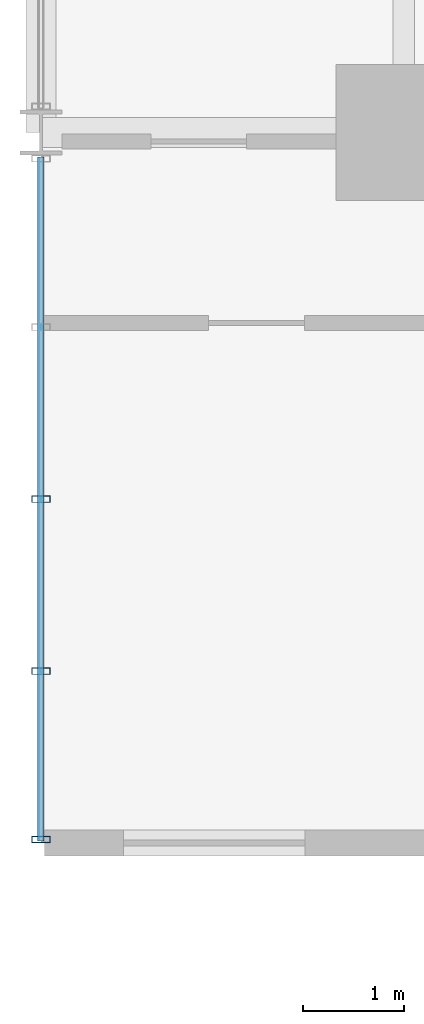
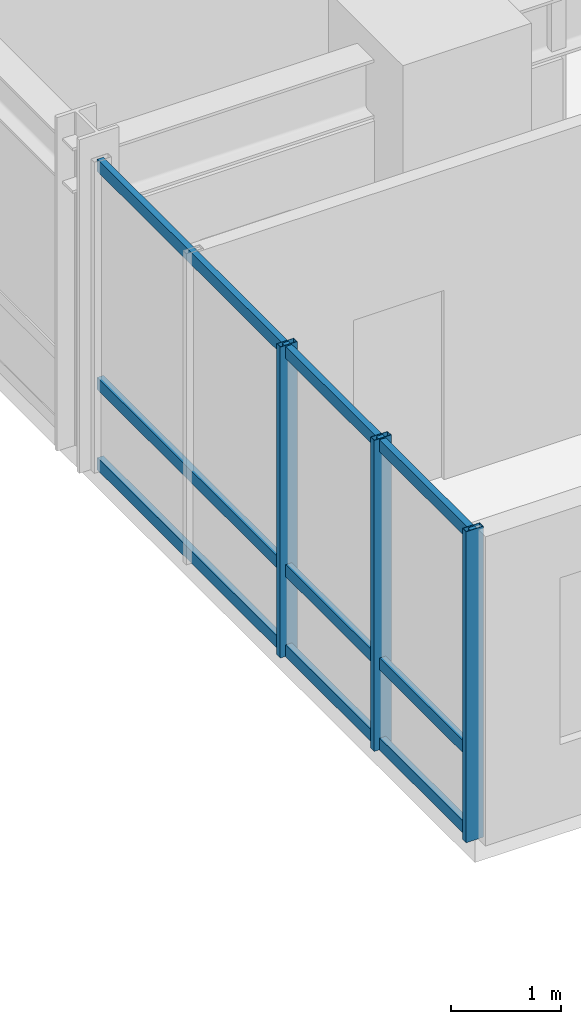
# One storey, part 2 of 19: 6 members, 1 element without a shape of its own.
"""IFC4 building model written with IfcOpenShell, lengths in metres."""

from ifc_helpers import new_model, si_unit, direction, frame, origin, origin_2d, place, context, subcontext, project, spatial, hollow_rectangle, extrude, source, transform, mapped, material, layer, layer_set, material_profile, profile_set, type_object, element, aggregate, save


model = new_model("IFC4")

# Units and contexts
model_context = context("Model", 3, precision=1e-05, world=origin(), true_north=direction((0.0, 1.0)))
body_context = subcontext(model_context, "Body", "Model", "MODEL_VIEW")
ifc_project = project(units=[si_unit("LENGTHUNIT", "METRE"), si_unit("AREAUNIT", "SQUARE_METRE"), si_unit("VOLUMEUNIT", "CUBIC_METRE"), si_unit("PLANEANGLEUNIT", "RADIAN"), si_unit("MASSUNIT", "GRAM", prefix="KILO")], contexts=[model_context])

# Site, building, storey
site_placement = place(None, origin())
site = spatial("IfcSite", under=ifc_project, at=site_placement, CompositionType="ELEMENT")
building_placement = place(site_placement, origin())
building = spatial("IfcBuilding", under=site, at=building_placement, Name="Kaliganga Portal Commons", CompositionType="ELEMENT")
storey_placement = place(building_placement, frame((0.0, 0.0, 32.699951171875)))
storey = spatial("IfcBuildingStorey", under=building, at=storey_placement, Name="L07", CompositionType="ELEMENT", Elevation=32.699951171875)

# Curtain wall, members
ifc_material_1 = material(Name="Anodized Aluminium and Laminated Low-E Glass", Category="aluminium")
ifc_layer = layer(ifc_material_1, 0.199951171875)
ifc_layer_set = layer_set([ifc_layer], Name="Anodized Aluminium and Laminated Low-E Glass")
curtain_wall_type = type_object("IfcCurtainWallType", Name="CW-SYS-02", PredefinedType="NOTDEFINED", material=ifc_layer_set)
curtain_wall_placement = place(storey_placement, origin())
curtain_wall = element("IfcCurtainWall", 1, at=curtain_wall_placement, inside=storey, type_object=curtain_wall_type, Name="CW 02 L07 P1E03S3", PredefinedType="NOTDEFINED")
ifc_material_2 = material(Name="Dark Bronze Anodized Aluminium", Category="aluminium")
ifc_material_profile_1 = material_profile(ifc_material_2, hollow_rectangle(XDim=0.06494140625, YDim=0.179931640625, WallThickness=0.00390625, at=origin_2d()), Name="ALU MULL 65x180x4")
ifc_profile_set_1 = profile_set([ifc_material_profile_1], Name="Dark Bronze Anodized Aluminium")
member_type_1 = type_object("IfcMemberType", Name="CW-MUL-180", PredefinedType="MULLION", material=ifc_profile_set_1)
shared_shape_1 = source(origin(), body_context, "Body", "SweptSolid", [
    extrude(hollow_rectangle(XDim=0.06494140625, YDim=0.179931640625, WallThickness=0.00390625, at=origin_2d()), origin(), (0.0, 0.0, 1.0), 3.449951171875),
])
member_1_placement = place(storey_placement, frame((3.60009765625, 25.012939453125, 0.0), z_axis=(0.0, 0.0, 1.0), x_axis=(0.0, -1.0, 0.0)))
member_1 = element("IfcMember", 2, at=member_1_placement, type_object=member_type_1, Name="CW:02:L07:P1E03S3 Mullion 02", PredefinedType="MULLION", context=body_context, shape_type="MappedRepresentation", body=[
    mapped(shared_shape_1, transform((0.0, 0.0, 0.0), x_axis=(1.0, 0.0, 0.0), y_axis=(0.0, 1.0, 0.0), z_axis=(0.0, 0.0, 1.0), scale=1.0)),
])
member_2_placement = place(storey_placement, frame((3.60009765625, 23.306396484375, 0.0), z_axis=(0.0, 0.0, 1.0), x_axis=(0.0, -1.0, 0.0)))
member_2 = element("IfcMember", 3, at=member_2_placement, type_object=member_type_1, Name="CW:02:L07:P1E03S3 Mullion 03", PredefinedType="MULLION", context=body_context, shape_type="MappedRepresentation", body=[
    mapped(shared_shape_1, transform((0.0, 0.0, 0.0), x_axis=(1.0, 0.0, 0.0), y_axis=(0.0, 1.0, 0.0), z_axis=(0.0, 0.0, 1.0), scale=1.0)),
])
member_3_placement = place(storey_placement, frame((3.60009765625, 21.635009765625, 0.0), z_axis=(0.0, 0.0, 1.0), x_axis=(0.0, -1.0, 0.0)))
member_3 = element("IfcMember", 4, at=member_3_placement, type_object=member_type_1, Name="CW:02:L07:P1E03S3 Mullion 04", PredefinedType="MULLION", context=body_context, shape_type="MappedRepresentation", body=[
    mapped(shared_shape_1, transform((0.0, 0.0, 0.0), x_axis=(1.0, 0.0, 0.0), y_axis=(0.0, 1.0, 0.0), z_axis=(0.0, 0.0, 1.0), scale=1.0)),
])
ifc_material_profile_2 = material_profile(ifc_material_2, hollow_rectangle(XDim=0.06494140625, YDim=0.135009765625, WallThickness=0.00341796875, at=origin_2d()), Name="ALU TRAN 65x135x3.5")
ifc_profile_set_2 = profile_set([ifc_material_profile_2], Name="Dark Bronze Anodized Aluminium")
member_type_2 = type_object("IfcMemberType", Name="CW-TRN-135", PredefinedType="USERDEFINED", material=ifc_profile_set_2)
shared_shape_2 = source(origin(), body_context, "Body", "SweptSolid", [
    extrude(hollow_rectangle(XDim=0.06494140625, YDim=0.135009765625, WallThickness=0.00341796875, at=origin_2d()), origin(), (0.0, 0.0, 1.0), 6.785888671875),
])
member_4_placement = place(storey_placement, frame((3.60009765625, 28.406005859375, 0.06005859375), z_axis=(0.0, -1.0, 0.0), x_axis=(1.0, 0.0, 0.0)))
member_4 = element("IfcMember", 5, at=member_4_placement, type_object=member_type_2, Name="CW:02:L07:P1E03S3 Transom 1", ObjectType="TRANSOM", PredefinedType="USERDEFINED", context=body_context, shape_type="MappedRepresentation", body=[
    mapped(shared_shape_2, transform((0.0, 0.0, 0.0), x_axis=(1.0, 0.0, 0.0), y_axis=(0.0, 1.0, 0.0), z_axis=(0.0, 0.0, 1.0), scale=1.0)),
])
member_5_placement = place(storey_placement, frame((3.60009765625, 28.406005859375, 0.949951171875), z_axis=(0.0, -1.0, 0.0), x_axis=(1.0, 0.0, 0.0)))
member_5 = element("IfcMember", 6, at=member_5_placement, type_object=member_type_2, Name="CW:02:L07:P1E03S3 Transom 2", ObjectType="TRANSOM", PredefinedType="USERDEFINED", context=body_context, shape_type="MappedRepresentation", body=[
    mapped(shared_shape_2, transform((0.0, 0.0, 0.0), x_axis=(1.0, 0.0, 0.0), y_axis=(0.0, 1.0, 0.0), z_axis=(0.0, 0.0, 1.0), scale=1.0)),
])
member_6_placement = place(storey_placement, frame((3.60009765625, 28.406005859375, 3.3701171875), z_axis=(0.0, -1.0, 0.0), x_axis=(1.0, 0.0, 0.0)))
member_6 = element("IfcMember", 7, at=member_6_placement, type_object=member_type_2, Name="CW:02:L07:P1E03S3 Transom 3", ObjectType="TRANSOM", PredefinedType="USERDEFINED", context=body_context, shape_type="MappedRepresentation", body=[
    mapped(shared_shape_2, transform((0.0, 0.0, 0.0), x_axis=(1.0, 0.0, 0.0), y_axis=(0.0, 1.0, 0.0), z_axis=(0.0, 0.0, 1.0), scale=1.0)),
])
aggregate(curtain_wall, [member_1, member_2, member_3, member_4, member_5, member_6])

save(model, "model.ifc")
